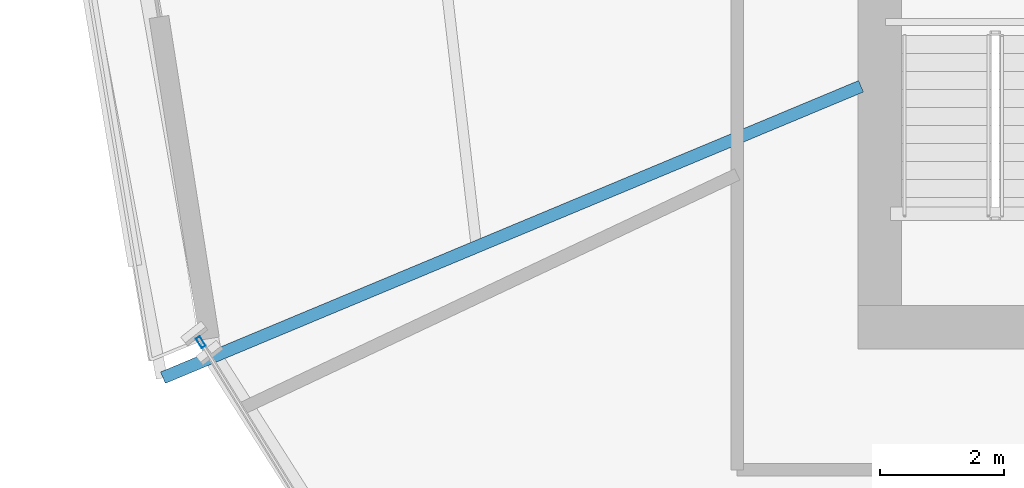
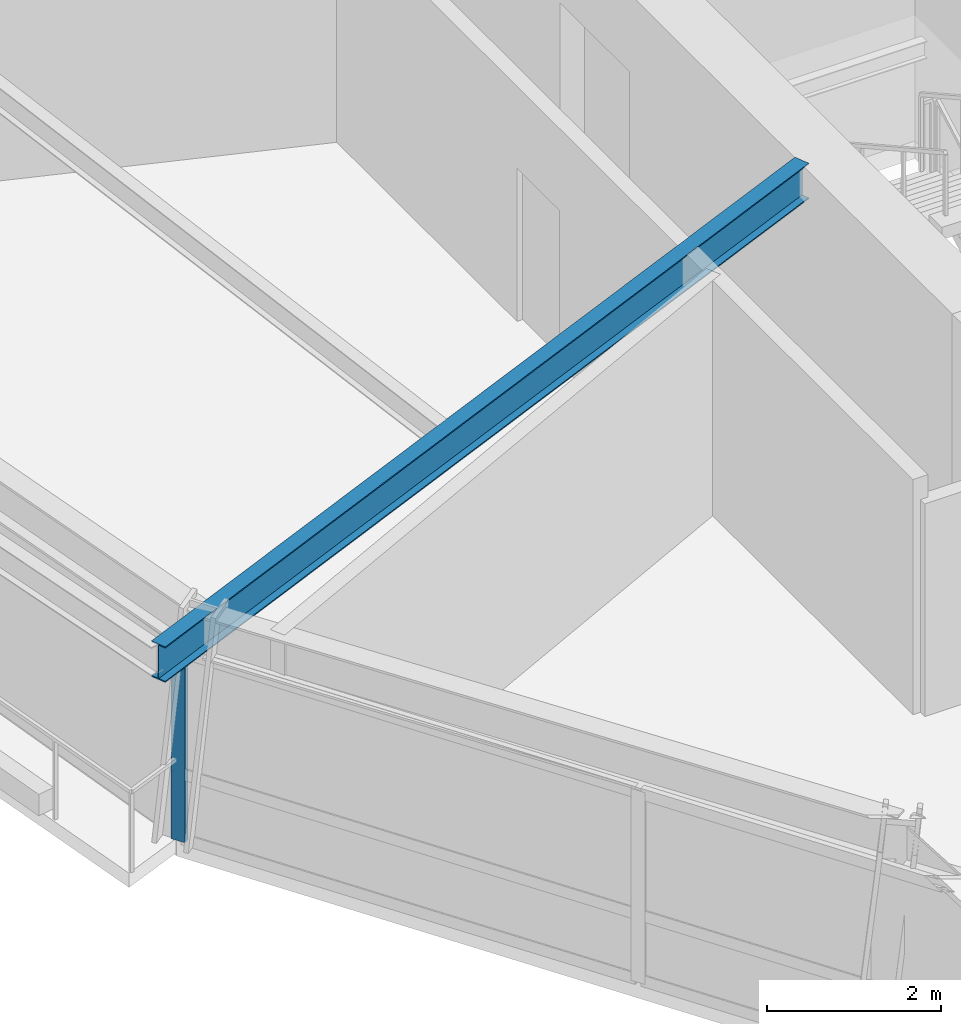
# One storey, part 4 of 18: 1 beam, 1 member, 1 element without a shape of its own.
"""IFC4 building model written with IfcOpenShell, lengths in metres."""

from ifc_helpers import new_model, si_unit, direction, frame, origin, origin_2d, place, context, subcontext, project, spatial, hollow_rectangle, i_section, extrude, source, transform, mapped, material, material_profile, profile_set, type_object, element, aggregate, save


model = new_model("IFC4")

# Units and contexts
model_context = context("Model", 3, precision=1e-05, world=origin(), true_north=direction((0.0, 1.0)))
body_context = subcontext(model_context, "Body", "Model", "MODEL_VIEW")
ifc_project = project(units=[si_unit("LENGTHUNIT", "METRE"), si_unit("AREAUNIT", "SQUARE_METRE"), si_unit("VOLUMEUNIT", "CUBIC_METRE"), si_unit("PLANEANGLEUNIT", "RADIAN"), si_unit("MASSUNIT", "GRAM", prefix="KILO")], contexts=[model_context])

# Site, building, storey
site_placement = place(None, origin())
site = spatial("IfcSite", under=ifc_project, at=site_placement, CompositionType="ELEMENT")
building_placement = place(site_placement, origin())
building = spatial("IfcBuilding", under=site, at=building_placement, Name="Olszyna Solenne Hotel", CompositionType="ELEMENT")
storey_placement = place(building_placement, frame((0.0, 0.0, 123.449951171875)))
storey = spatial("IfcBuildingStorey", under=building, at=storey_placement, Name="L32", CompositionType="ELEMENT", Elevation=123.449951171875)

# Beam
ifc_material_1 = material(Name="Steel S355J2", Category="steel")
ifc_material_profile_1 = material_profile(ifc_material_1, i_section(OverallWidth=0.199951171875, OverallDepth=0.5, WebThickness=0.01025390625, FlangeThickness=0.01611328125, at=origin_2d()), Name="IPE 500", Category="load-bearing")
ifc_profile_set_1 = profile_set([ifc_material_profile_1], Name="Steel S355J2")
beam_type = type_object("IfcBeamType", Name="BM-F3", PredefinedType="BEAM", material=ifc_profile_set_1)
shared_shape_1 = source(origin(), body_context, "Body", "SweptSolid", [
    extrude(i_section(OverallWidth=0.199951171875, OverallDepth=0.5, WebThickness=0.01025390625, FlangeThickness=0.01611328125, at=origin_2d()), origin(), (0.0, 0.0, 1.0), 12.196044921875),
])
beam_placement = place(storey_placement, frame((18.191162109375, 18.33544921875, 3.050048828125), z_axis=(0.922830358156, 0.385206606985, 0.0), x_axis=(-0.385206606985, 0.922830358156, 0.0)))
element("IfcBeam", 1, at=beam_placement, inside=storey, type_object=beam_type, Name="Radial floor girder BM-F3 B-L32-0974", PredefinedType="BEAM", context=body_context, shape_type="MappedRepresentation", body=[
    mapped(shared_shape_1, transform((0.0, 0.0, 0.0), x_axis=(1.0, 0.0, 0.0), y_axis=(0.0, 1.0, 0.0), z_axis=(0.0, 0.0, 1.0), scale=1.0)),
])

# Curtain wall, member
ifc_material_2 = material(Name="Anodised bronze aluminium", Category="aluminium")
curtain_wall_type = type_object("IfcCurtainWallType", Name="CW-SYS-3", PredefinedType="NOTDEFINED", material=ifc_material_2)
curtain_wall_placement = place(storey_placement, origin())
curtain_wall = element("IfcCurtainWall", 2, at=curtain_wall_placement, inside=storey, type_object=curtain_wall_type, Name="Unitised curtain wall CW-SYS-3 CW-L32-01", PredefinedType="NOTDEFINED")
ifc_material_profile_2 = material_profile(ifc_material_2, hollow_rectangle(XDim=0.074951171875, YDim=0.179931640625, WallThickness=0.00439453125, at=origin_2d()), Name="MULL 180x75x4.5", Category="load-bearing")
ifc_profile_set_2 = profile_set([ifc_material_profile_2], Name="Anodised bronze aluminium")
member_type = type_object("IfcMemberType", Name="CW-M2", PredefinedType="MULLION", material=ifc_profile_set_2)
shared_shape_2 = source(origin(), body_context, "Body", "SweptSolid", [
    extrude(hollow_rectangle(XDim=0.074951171875, YDim=0.179931640625, WallThickness=0.00439453125, at=origin_2d()), origin(), (0.0, 0.0, 1.0), 2.692138671875),
])
member_placement = place(storey_placement, frame((18.80224609375, 18.908203125, 0.0), z_axis=(0.0, 0.0, 1.0), x_axis=(0.850112103888, 0.52660175733, 0.0)))
member = element("IfcMember", 3, at=member_placement, type_object=member_type, Name="Curtain-wall mullion CW-M2 CM-L32-01-01", PredefinedType="MULLION", context=body_context, shape_type="MappedRepresentation", body=[
    mapped(shared_shape_2, transform((0.0, 0.0, 0.0), x_axis=(1.0, 0.0, 0.0), y_axis=(0.0, 1.0, 0.0), z_axis=(0.0, 0.0, 1.0), scale=1.0)),
])
aggregate(curtain_wall, [member])

save(model, "model.ifc")
